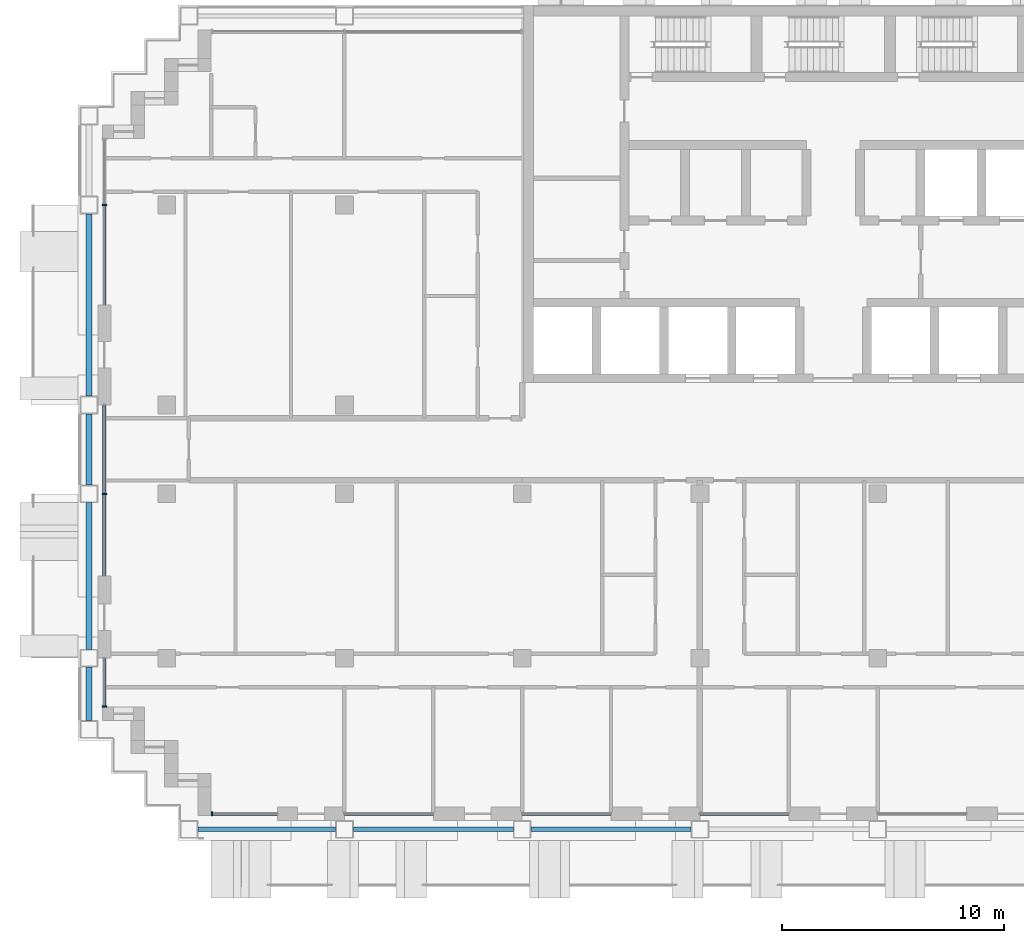
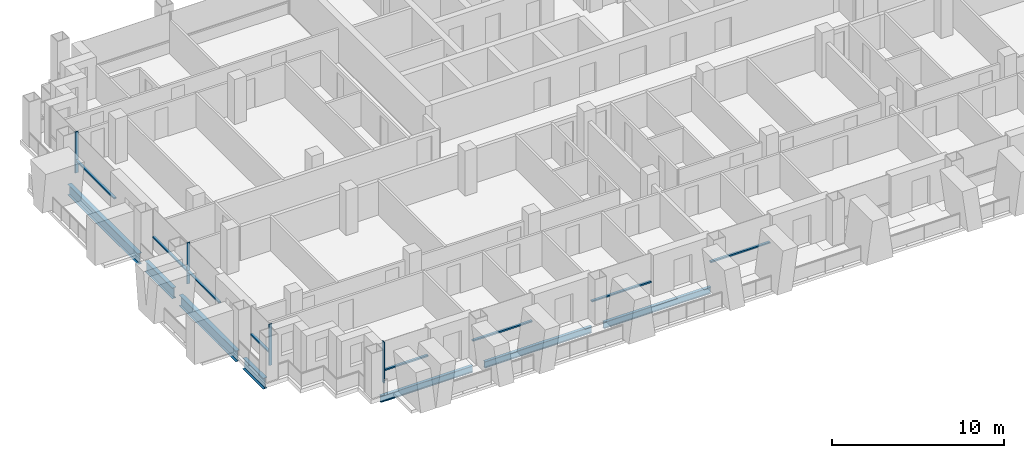
# One storey, part 2 of 16: 12 members, 7 beams, 7 elements without a shape of their own.
"""IFC4 building model written with IfcOpenShell, lengths in metres."""

import ifcopenshell
import ifcopenshell.guid

model = None  # the IFC model being written
_history = None  # IfcOwnerHistory: only IFC2X3 demands one
_inside = {}  # id of a spatial element -> (the spatial element, [elements in it])
_under = {}  # id of a project, library or spatial element -> (it, [spatial elements below it])
_declared = {}  # id of a project -> (the project, [libraries it declares])
_typed = {}  # id of a type object -> (the type object, [elements of that type])
_made_of = {}  # id of a material, layer set ... -> (it, [elements and type objects made of it])


def new_model(schema):
    """Start an empty IFC model of exactly this schema.

    Asked for "IFC4X3", IfcOpenShell would pick the latest addendum, in which some entities
    have other attributes; the version numbers below select the first issue.
    IFC2X3 requires an IfcOwnerHistory on every rooted entity: one is made here for all.
    """
    global model, _history
    if schema == "IFC4X3":
        model = ifcopenshell.file(schema_version=(4, 3, 0, 0))
    else:
        model = ifcopenshell.file(schema=schema)
    _inside.clear()
    _under.clear()
    _declared.clear()
    _typed.clear()
    _made_of.clear()
    _history = None
    if model.schema == "IFC2X3":
        org = make("IfcOrganization", Name="unknown")
        user = make(
            "IfcPersonAndOrganization",
            ThePerson=make("IfcPerson", FamilyName="unknown"),
            TheOrganization=org,
        )
        app = make(
            "IfcApplication",
            ApplicationDeveloper=org,
            Version="unknown",
            ApplicationFullName="unknown",
            ApplicationIdentifier="unknown",
        )
        _history = make(
            "IfcOwnerHistory",
            OwningUser=user,
            OwningApplication=app,
            ChangeAction="ADDED",
            CreationDate=0,
        )
    return model


def make(cls, **values):
    """One entity of the class cls with the attributes given. An attribute that is None is left unset."""
    return model.create_entity(
        cls, **{name: value for name, value in values.items() if value is not None}
    )


def rooted(cls, **values):
    """An entity with a GlobalId (a new one), such as an element, a storey or a relation."""
    return make(cls, GlobalId=ifcopenshell.guid.new(), OwnerHistory=_history, **values)


def si_unit(unit_type, name, prefix=None):
    """IfcSIUnit, for example si_unit("LENGTHUNIT", "METRE", prefix="MILLI")."""
    return make("IfcSIUnit", UnitType=unit_type, Prefix=prefix, Name=name)


def assignment(units):
    """IfcUnitAssignment: the units of a project."""
    return None if units is None else make("IfcUnitAssignment", Units=units)


def point(xyz):
    """IfcCartesianPoint."""
    return None if xyz is None else make("IfcCartesianPoint", Coordinates=xyz)


def direction(xyz):
    """IfcDirection."""
    return None if xyz is None else make("IfcDirection", DirectionRatios=xyz)


def frame(location, z_axis=None, x_axis=None):
    """IfcAxis2Placement3D, a coordinate frame: its origin and axes. An axis left out is left unset."""
    return make(
        "IfcAxis2Placement3D",
        Location=point(location),
        Axis=direction(z_axis),
        RefDirection=direction(x_axis),
    )


def frame_2d(location, x_axis=None):
    """IfcAxis2Placement2D, a coordinate frame in the plane: its origin and x axis."""
    return make(
        "IfcAxis2Placement2D", Location=point(location), RefDirection=direction(x_axis)
    )


def origin():
    """The frame at (0, 0, 0) with its axes left unset."""
    return frame((0.0, 0.0, 0.0))


def origin_2d():
    """The frame at (0, 0) in the plane with its x axis left unset."""
    return frame_2d((0.0, 0.0))


def place(relative_to, where):
    """IfcLocalPlacement: puts the frame where relative to a parent placement (None: the world)."""
    return make(
        "IfcLocalPlacement", PlacementRelTo=relative_to, RelativePlacement=where
    )


def context(
    kind, dimensions, precision=None, world=None, true_north=None, identifier=None
):
    """IfcGeometricRepresentationContext, for example the 3D "Model" context."""
    return make(
        "IfcGeometricRepresentationContext",
        ContextIdentifier=identifier,
        ContextType=kind,
        CoordinateSpaceDimension=dimensions,
        Precision=precision,
        WorldCoordinateSystem=world,
        TrueNorth=true_north,
    )


def subcontext(parent, identifier, kind, view, scale=None):
    """IfcGeometricRepresentationSubContext, for example "Body" below "Model"."""
    return make(
        "IfcGeometricRepresentationSubContext",
        ContextIdentifier=identifier,
        ContextType=kind,
        ParentContext=parent,
        TargetScale=scale,
        TargetView=view,
    )


def project(units=None, contexts=None):
    """IfcProject with its units and contexts."""
    return rooted(
        "IfcProject",
        Name="project",
        RepresentationContexts=contexts,
        UnitsInContext=assignment(units),
    )


def spatial(cls, under=None, at=None, **own):
    """A site, building, storey or space (cls), placed at a placement, below another one or the project."""
    s = rooted(cls, ObjectPlacement=at, **own)
    if under is not None:
        _under.setdefault(under.id(), (under, []))[1].append(s)
    return s


def profile(cls, at=None, kind="AREA", **sizes):
    """A parametric profile (cls). Its sizes go by their IFC names, for example OverallWidth=200.0."""
    return make(cls, ProfileType=kind, Position=at, **sizes)


def rectangle(**sizes):
    """IfcRectangleProfileDef."""
    return profile("IfcRectangleProfileDef", **sizes)


def i_section(**sizes):
    """IfcIShapeProfileDef."""
    return profile("IfcIShapeProfileDef", **sizes)


def extrude(swept, where, along, depth):
    """IfcExtrudedAreaSolid: the profile swept, set in the frame where, extruded along a direction by depth."""
    return make(
        "IfcExtrudedAreaSolid",
        SweptArea=swept,
        Position=where,
        ExtrudedDirection=direction(along),
        Depth=depth,
    )


def shape(context_of_items, identifier, shape_type, items):
    """IfcShapeRepresentation: the items that make up one representation, for example the "Body"."""
    return make(
        "IfcShapeRepresentation",
        ContextOfItems=context_of_items,
        RepresentationIdentifier=identifier,
        RepresentationType=shape_type,
        Items=items,
    )


def material(Name=None, Category=None):
    """IfcMaterial."""
    return make("IfcMaterial", Name=Name, Category=Category)


def material_profile(
    of_material, cross_section, Name=None, Category=None, Priority=None
):
    """IfcMaterialProfile: a cross section and its material."""
    return make(
        "IfcMaterialProfile",
        Name=Name,
        Material=of_material,
        Profile=cross_section,
        Priority=Priority,
        Category=Category,
    )


def profile_set(profiles, Name=None, composite=None):
    """IfcMaterialProfileSet."""
    return make(
        "IfcMaterialProfileSet",
        Name=Name,
        MaterialProfiles=profiles,
        CompositeProfile=composite,
    )


def made_of(thing, what):
    """Note that an element or type object is made of a material, layer set ...; save() writes the relation."""
    if what is not None:
        _made_of.setdefault(what.id(), (what, []))[1].append(thing)
    return thing


def type_object(cls, material=None, **own):
    """A type object (cls), such as IfcWallType, which elements share."""
    return made_of(rooted(cls, **own), material)


def element(
    cls,
    number,
    at=None,
    inside=None,
    cuts=None,
    type_object=None,
    material=None,
    context=None,
    identifier="Body",
    shape_type=None,
    held_by="IfcProductDefinitionShape",
    body=None,
    shapes=None,
    **own,
):
    """One element of the class cls, such as IfcWall. Its Tag is "e" and its number.

    at: its placement. inside: the storey or other place that contains it. cuts: it is an
    opening in that element (IfcRelVoidsElement). A single representation is given by context,
    identifier, shape_type and body (its items); several are given by shapes. held_by: the class
    of the entity that holds the representations. save() writes the other relations.
    """
    e = rooted(cls, Tag="e%d" % number, ObjectPlacement=at, **own)
    if body is not None:
        shapes = [shape(context, identifier, shape_type, body)]
    if shapes is not None:
        e.Representation = make(held_by, Representations=shapes)
    if inside is not None:
        _inside.setdefault(inside.id(), (inside, []))[1].append(e)
    if cuts is not None:
        rooted(
            "IfcRelVoidsElement", RelatingBuildingElement=cuts, RelatedOpeningElement=e
        )
    if type_object is not None:
        _typed.setdefault(type_object.id(), (type_object, []))[1].append(e)
    return made_of(e, material)


def aggregate(whole, parts):
    """IfcRelAggregates: a whole, such as a stair, and the parts it consists of."""
    return rooted("IfcRelAggregates", RelatingObject=whole, RelatedObjects=parts)


def save(model, path):
    """Write the relations noted so far, then the file.

    IfcRelAggregates (storeys below a building ...), IfcRelContainedInSpatialStructure (elements
    in a storey), IfcRelDefinesByType, IfcRelAssociatesMaterial and IfcRelDeclares: one each for
    every whole, place, type object, material and project.
    """
    for whole, parts in _under.values():
        aggregate(whole, parts)
    for where, things in _inside.values():
        rooted(
            "IfcRelContainedInSpatialStructure",
            RelatedElements=things,
            RelatingStructure=where,
        )
    for kind, things in _typed.values():
        rooted("IfcRelDefinesByType", RelatedObjects=things, RelatingType=kind)
    for what, things in _made_of.values():
        rooted("IfcRelAssociatesMaterial", RelatedObjects=things, RelatingMaterial=what)
    for by, libraries in _declared.values():
        rooted("IfcRelDeclares", RelatingContext=by, RelatedDefinitions=libraries)
    model.write(path)


model = new_model("IFC4")

# Units and contexts
model_context = context("Model", 3, precision=1e-05, world=origin(), true_north=direction((0.0, 1.0)))
body_context = subcontext(model_context, "Body", "Model", "MODEL_VIEW")
ifc_project = project(units=[si_unit("LENGTHUNIT", "METRE"), si_unit("AREAUNIT", "SQUARE_METRE"), si_unit("VOLUMEUNIT", "CUBIC_METRE"), si_unit("PLANEANGLEUNIT", "RADIAN"), si_unit("MASSUNIT", "GRAM", prefix="KILO")], contexts=[model_context])

# Site, building, storey
site_placement = place(None, origin())
site = spatial("IfcSite", under=ifc_project, at=site_placement, CompositionType="ELEMENT")
building_placement = place(site_placement, origin())
building = spatial("IfcBuilding", under=site, at=building_placement, Name="Vidyagriha Tower", CompositionType="ELEMENT")
storey_placement = place(building_placement, frame((0.0, 0.0, 132.60009765625)))
storey = spatial("IfcBuildingStorey", under=building, at=storey_placement, Name="L34", CompositionType="ELEMENT", Elevation=132.60009765625)

# Beams
ifc_material_1 = material(Name="Steel ASTM A992 Grade 50", Category="steel")
ifc_material_profile_1 = material_profile(ifc_material_1, i_section(OverallWidth=0.2666015625, OverallDepth=0.76953125, WebThickness=0.015625, FlangeThickness=0.025390625, at=origin_2d()), Name="W30X132")
ifc_profile_set_1 = profile_set([ifc_material_profile_1], Name="Steel ASTM A992 Grade 50")
beam_type_1 = type_object("IfcBeamType", Name="Cantilever edge beam W30X132", PredefinedType="SPANDREL", material=ifc_profile_set_1)
beam_1_placement = place(storey_placement, frame((-33.5, -12.199951171875, -0.664794921875), z_axis=(0.0, 1.0, 0.0), x_axis=(-1.0, 0.0, 0.0)))
element("IfcBeam", 1, at=beam_1_placement, inside=storey, type_object=beam_type_1, Name="st-beam-L34-W09", PredefinedType="SPANDREL", context=body_context, shape_type="SweptSolid", body=[
    extrude(i_section(OverallWidth=0.2666015625, OverallDepth=0.76953125, WebThickness=0.015625, FlangeThickness=0.025390625, at=origin_2d()), origin(), (0.0, 0.0, 1.0), 2.39990234375),
])
beam_2_placement = place(storey_placement, frame((-33.5, -9.0, -0.664794921875), z_axis=(0.0, 1.0, 0.0), x_axis=(-1.0, 0.0, 0.0)))
element("IfcBeam", 2, at=beam_2_placement, inside=storey, type_object=beam_type_1, Name="st-beam-L34-W10", PredefinedType="SPANDREL", context=body_context, shape_type="SweptSolid", body=[
    extrude(i_section(OverallWidth=0.2666015625, OverallDepth=0.76953125, WebThickness=0.015625, FlangeThickness=0.025390625, at=origin_2d()), origin(), (0.0, 0.0, 1.0), 6.60009765625),
])
beam_3_placement = place(storey_placement, frame((-33.5, -1.60009765625, -0.664794921875), z_axis=(0.0, 1.0, 0.0), x_axis=(-1.0, 0.0, 0.0)))
element("IfcBeam", 3, at=beam_3_placement, inside=storey, type_object=beam_type_1, Name="st-beam-L34-W11", PredefinedType="SPANDREL", context=body_context, shape_type="SweptSolid", body=[
    extrude(i_section(OverallWidth=0.2666015625, OverallDepth=0.76953125, WebThickness=0.015625, FlangeThickness=0.025390625, at=origin_2d()), origin(), (0.0, 0.0, 1.0), 3.2001953125),
])
beam_4_placement = place(storey_placement, frame((-33.5, 2.39990234375, -0.664794921875), z_axis=(0.0, 1.0, 0.0), x_axis=(-1.0, 0.0, 0.0)))
element("IfcBeam", 4, at=beam_4_placement, inside=storey, type_object=beam_type_1, Name="st-beam-L34-W12", PredefinedType="SPANDREL", context=body_context, shape_type="SweptSolid", body=[
    extrude(i_section(OverallWidth=0.2666015625, OverallDepth=0.76953125, WebThickness=0.015625, FlangeThickness=0.025390625, at=origin_2d()), origin(), (0.0, 0.0, 1.0), 8.2001953125),
])
ifc_material_2 = material(Name="Steel ASTM A992 Grade 50", Category="steel")
ifc_material_profile_2 = material_profile(ifc_material_2, i_section(OverallWidth=0.19189453125, OverallDepth=0.46240234375, WebThickness=0.010498046875, FlangeThickness=0.017578125, at=origin_2d()), Name="W18X60")
ifc_profile_set_2 = profile_set([ifc_material_profile_2], Name="Steel ASTM A992 Grade 50")
beam_type_2 = type_object("IfcBeamType", Name="Edge beam W18X60", PredefinedType="SPANDREL", material=ifc_profile_set_2)
beam_5_placement = place(storey_placement, frame((-28.60009765625, -17.10009765625, -0.51123046875), z_axis=(1.0, 0.0, 0.0), x_axis=(0.0, 1.0, 0.0)))
element("IfcBeam", 5, at=beam_5_placement, inside=storey, type_object=beam_type_2, Name="st-beam-L34-S01", PredefinedType="SPANDREL", context=body_context, shape_type="SweptSolid", body=[
    extrude(i_section(OverallWidth=0.19189453125, OverallDepth=0.46240234375, WebThickness=0.010498046875, FlangeThickness=0.017578125, at=origin_2d()), origin(), (0.0, 0.0, 1.0), 6.2001953125),
])
for number, where, z_axis, x_axis, name in (
    (6, (-21.60009765625, -17.10009765625, -0.51123046875), (1.0, 0.0, 0.0), (0.0, 1.0, 0.0), "st-beam-L34-S02"),
    (7, (-13.60009765625, -17.10009765625, -0.51123046875), (1.0, 0.0, 0.0), (0.0, 1.0, 0.0), "st-beam-L34-S03"),
):
    element("IfcBeam", number, at=place(storey_placement, frame(where, z_axis=z_axis, x_axis=x_axis)), inside=storey, type_object=beam_type_2, Name=name, PredefinedType="SPANDREL", context=body_context, shape_type="SweptSolid", body=[
        extrude(i_section(OverallWidth=0.19189453125, OverallDepth=0.46240234375, WebThickness=0.010498046875, FlangeThickness=0.017578125, at=origin_2d()), origin(), (0.0, 0.0, 1.0), 7.2001953125),
    ])

# Curtain wall, member
ifc_material_3 = material(Name="Aluminium and glass curtain wall", Category="aluminium")
curtain_wall_type = type_object("IfcCurtainWallType", Name="Dwelling skin unitised curtain wall", PredefinedType="USERDEFINED", material=ifc_material_3)
curtain_wall_1_placement = place(storey_placement, origin())
curtain_wall_1 = element("IfcCurtainWall", 8, at=curtain_wall_1_placement, inside=storey, type_object=curtain_wall_type, Name="CW1 dwelling skin", ObjectType="UNITISED", PredefinedType="USERDEFINED")
ifc_material_4 = material(Name="Aluminium black anodised", Category="aluminium")
ifc_material_profile_3 = material_profile(ifc_material_4, rectangle(XDim=0.199951171875, YDim=0.070068359375, at=origin_2d()), Name="Mullion 70x200 black aluminium")
ifc_profile_set_3 = profile_set([ifc_material_profile_3], Name="Aluminium black anodised")
member_type_1 = type_object("IfcMemberType", Name="Mullion 70x200 black aluminium", PredefinedType="MULLION", material=ifc_profile_set_3)
member_1_placement = place(storey_placement, frame((-32.800048828125, 11.0, 0.0)))
member_1 = element("IfcMember", 9, at=member_1_placement, type_object=member_type_1, Name="CW1 mullion 2", PredefinedType="MULLION", context=body_context, shape_type="SweptSolid", body=[
    extrude(rectangle(XDim=0.199951171875, YDim=0.070068359375, at=origin_2d()), origin(), (0.0, 0.0, 1.0), 2.919921875),
])

curtain_wall_2_placement = place(storey_placement, origin())
curtain_wall_2 = element("IfcCurtainWall", 10, at=curtain_wall_2_placement, inside=storey, type_object=curtain_wall_type, Name="CW1 dwelling skin", ObjectType="UNITISED", PredefinedType="USERDEFINED")
member_2_placement = place(storey_placement, frame((-32.800048828125, -2.0, 0.0)))
member_2 = element("IfcMember", 11, at=member_2_placement, type_object=member_type_1, Name="CW1 mullion 2", PredefinedType="MULLION", context=body_context, shape_type="SweptSolid", body=[
    extrude(rectangle(XDim=0.199951171875, YDim=0.070068359375, at=origin_2d()), origin(), (0.0, 0.0, 1.0), 2.919921875),
])

curtain_wall_3_placement = place(storey_placement, origin())
curtain_wall_3 = element("IfcCurtainWall", 12, at=curtain_wall_3_placement, inside=storey, type_object=curtain_wall_type, Name="CW1 dwelling skin", ObjectType="UNITISED", PredefinedType="USERDEFINED")
member_3_placement = place(storey_placement, frame((-32.800048828125, -11.56494140625, 0.0)))
member_3 = element("IfcMember", 13, at=member_3_placement, type_object=member_type_1, Name="CW1 mullion 2", PredefinedType="MULLION", context=body_context, shape_type="SweptSolid", body=[
    extrude(rectangle(XDim=0.199951171875, YDim=0.070068359375, at=origin_2d()), origin(), (0.0, 0.0, 1.0), 2.919921875),
])

curtain_wall_4_placement = place(storey_placement, origin())
curtain_wall_4 = element("IfcCurtainWall", 14, at=curtain_wall_4_placement, inside=storey, type_object=curtain_wall_type, Name="CW1 dwelling skin", ObjectType="UNITISED", PredefinedType="USERDEFINED")
member_4_placement = place(storey_placement, frame((-27.965087890625, -16.39990234375, 0.0), z_axis=(0.0, 0.0, 1.0), x_axis=(0.0, 1.0, 0.0)))
member_4 = element("IfcMember", 15, at=member_4_placement, type_object=member_type_1, Name="CW1 mullion 1", PredefinedType="MULLION", context=body_context, shape_type="SweptSolid", body=[
    extrude(rectangle(XDim=0.199951171875, YDim=0.070068359375, at=origin_2d()), origin(), (0.0, 0.0, 1.0), 2.919921875),
])

# Member
ifc_material_5 = material(Name="Aluminium black anodised", Category="aluminium")
ifc_material_profile_4 = material_profile(ifc_material_5, rectangle(XDim=0.159912109375, YDim=0.10009765625, at=origin_2d()), Name="Transom 100x160 black aluminium")
ifc_profile_set_4 = profile_set([ifc_material_profile_4], Name="Aluminium black anodised")
member_type_2 = type_object("IfcMemberType", Name="Transom 100x160 black aluminium", PredefinedType="USERDEFINED", material=ifc_profile_set_4)
member_5_placement = place(storey_placement, frame((-32.800048828125, 10.965087890625, 0.89990234375), z_axis=(0.0, -1.0, 0.0), x_axis=(1.0, 0.0, 0.0)))
member_5 = element("IfcMember", 16, at=member_5_placement, type_object=member_type_2, Name="CW1 transom 2.1", ObjectType="TRANSOM", PredefinedType="USERDEFINED", context=body_context, shape_type="SweptSolid", body=[
    extrude(rectangle(XDim=0.159912109375, YDim=0.10009765625, at=origin_2d()), origin(), (0.0, 0.0, 1.0), 4.465087890625),
])

aggregate(curtain_wall_1, [member_1, member_5])

member_6_placement = place(storey_placement, frame((-32.800048828125, 2.0, 0.89990234375), z_axis=(0.0, -1.0, 0.0), x_axis=(1.0, 0.0, 0.0)))
member_6 = element("IfcMember", 17, at=member_6_placement, type_object=member_type_2, Name="CW1 transom 1.1", ObjectType="TRANSOM", PredefinedType="USERDEFINED", context=body_context, shape_type="SweptSolid", body=[
    extrude(rectangle(XDim=0.159912109375, YDim=0.10009765625, at=origin_2d()), origin(), (0.0, 0.0, 1.0), 3.965087890625),
])

member_7_placement = place(storey_placement, frame((-32.800048828125, -2.034912109375, 0.89990234375), z_axis=(0.0, -1.0, 0.0), x_axis=(1.0, 0.0, 0.0)))
member_7 = element("IfcMember", 18, at=member_7_placement, type_object=member_type_2, Name="CW1 transom 2.1", ObjectType="TRANSOM", PredefinedType="USERDEFINED", context=body_context, shape_type="SweptSolid", body=[
    extrude(rectangle(XDim=0.159912109375, YDim=0.10009765625, at=origin_2d()), origin(), (0.0, 0.0, 1.0), 3.6650390625),
])

aggregate(curtain_wall_2, [member_2, member_6, member_7])

member_8_placement = place(storey_placement, frame((-32.800048828125, -9.39990234375, 0.89990234375), z_axis=(0.0, -1.0, 0.0), x_axis=(1.0, 0.0, 0.0)))
member_8 = element("IfcMember", 19, at=member_8_placement, type_object=member_type_2, Name="CW1 transom 1.1", ObjectType="TRANSOM", PredefinedType="USERDEFINED", context=body_context, shape_type="SweptSolid", body=[
    extrude(rectangle(XDim=0.159912109375, YDim=0.10009765625, at=origin_2d()), origin(), (0.0, 0.0, 1.0), 2.130126953125),
])

aggregate(curtain_wall_3, [member_3, member_8])

member_9_placement = place(storey_placement, frame((-27.929931640625, -16.39990234375, 0.89990234375), z_axis=(1.0, 0.0, 0.0), x_axis=(0.0, 1.0, 0.0)))
member_9 = element("IfcMember", 20, at=member_9_placement, type_object=member_type_2, Name="CW1 transom 1.1", ObjectType="TRANSOM", PredefinedType="USERDEFINED", context=body_context, shape_type="SweptSolid", body=[
    extrude(rectangle(XDim=0.159912109375, YDim=0.10009765625, at=origin_2d()), origin(), (0.0, 0.0, 1.0), 2.929931640625),
])

aggregate(curtain_wall_4, [member_4, member_9])

# Curtain wall, member
curtain_wall_5_placement = place(storey_placement, origin())
curtain_wall_5 = element("IfcCurtainWall", 21, at=curtain_wall_5_placement, inside=storey, type_object=curtain_wall_type, Name="CW1 dwelling skin", ObjectType="UNITISED", PredefinedType="USERDEFINED")
member_10_placement = place(storey_placement, frame((-22.0, -16.39990234375, 0.89990234375), z_axis=(1.0, 0.0, 0.0), x_axis=(0.0, 1.0, 0.0)))
member_10 = element("IfcMember", 22, at=member_10_placement, type_object=member_type_2, Name="CW1 transom 1.1", ObjectType="TRANSOM", PredefinedType="USERDEFINED", context=body_context, shape_type="SweptSolid", body=[
    extrude(rectangle(XDim=0.159912109375, YDim=0.10009765625, at=origin_2d()), origin(), (0.0, 0.0, 1.0), 4.0),
])
aggregate(curtain_wall_5, [member_10])

curtain_wall_6_placement = place(storey_placement, origin())
curtain_wall_6 = element("IfcCurtainWall", 23, at=curtain_wall_6_placement, inside=storey, type_object=curtain_wall_type, Name="CW1 dwelling skin", ObjectType="UNITISED", PredefinedType="USERDEFINED")
member_11_placement = place(storey_placement, frame((-14.0, -16.39990234375, 0.89990234375), z_axis=(1.0, 0.0, 0.0), x_axis=(0.0, 1.0, 0.0)))
member_11 = element("IfcMember", 24, at=member_11_placement, type_object=member_type_2, Name="CW1 transom 1.1", ObjectType="TRANSOM", PredefinedType="USERDEFINED", context=body_context, shape_type="SweptSolid", body=[
    extrude(rectangle(XDim=0.159912109375, YDim=0.10009765625, at=origin_2d()), origin(), (0.0, 0.0, 1.0), 4.0),
])
aggregate(curtain_wall_6, [member_11])

curtain_wall_7_placement = place(storey_placement, origin())
curtain_wall_7 = element("IfcCurtainWall", 25, at=curtain_wall_7_placement, inside=storey, type_object=curtain_wall_type, Name="CW1 dwelling skin", ObjectType="UNITISED", PredefinedType="USERDEFINED")
member_12_placement = place(storey_placement, frame((-6.0, -16.39990234375, 0.89990234375), z_axis=(1.0, 0.0, 0.0), x_axis=(0.0, 1.0, 0.0)))
member_12 = element("IfcMember", 26, at=member_12_placement, type_object=member_type_2, Name="CW1 transom 1.1", ObjectType="TRANSOM", PredefinedType="USERDEFINED", context=body_context, shape_type="SweptSolid", body=[
    extrude(rectangle(XDim=0.159912109375, YDim=0.10009765625, at=origin_2d()), origin(), (0.0, 0.0, 1.0), 4.0),
])
aggregate(curtain_wall_7, [member_12])

save(model, "model.ifc")
